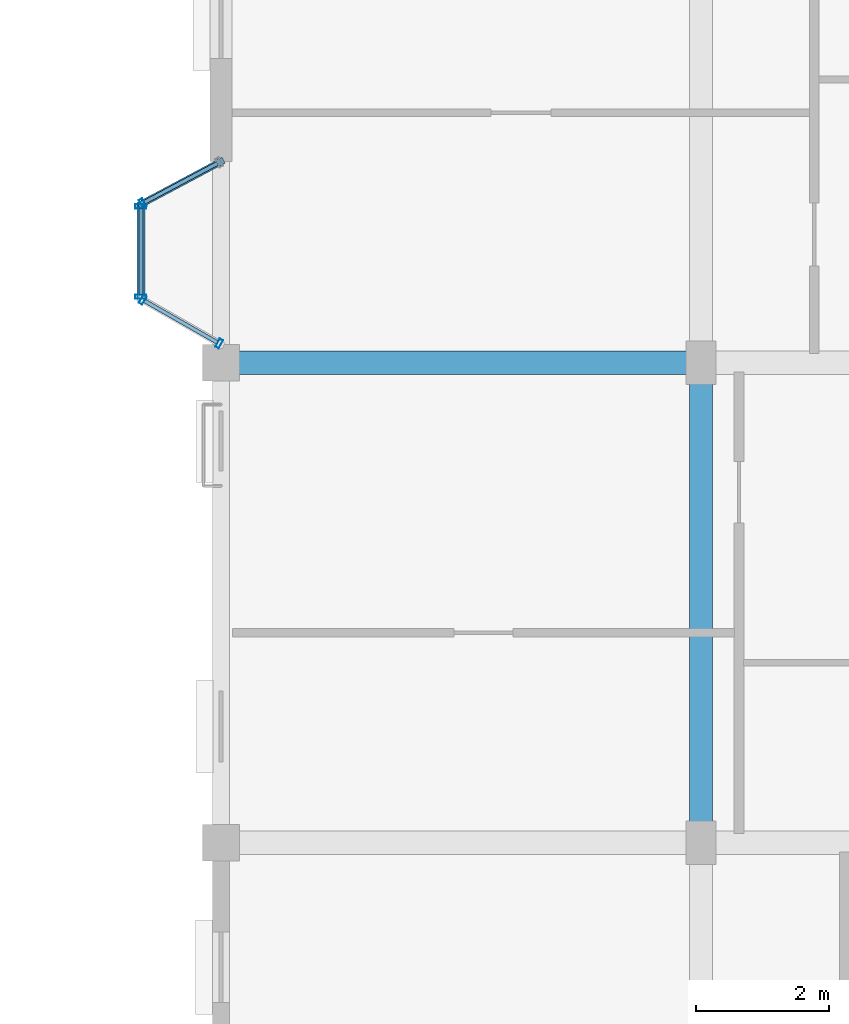
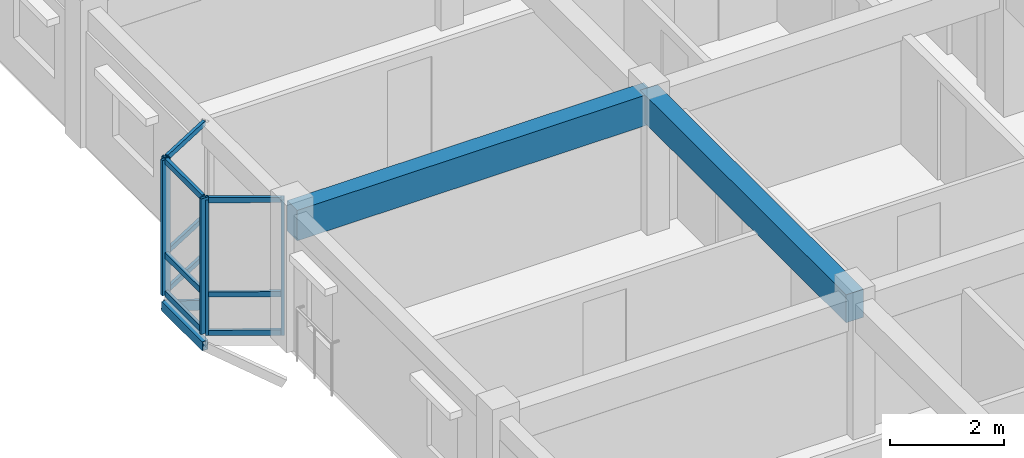
# One storey, part 27 of 79: 16 members, 2 beams, 3 elements without a shape of their own.
"""IFC4 building model written with IfcOpenShell, lengths in metres."""

from ifc_helpers import new_model, si_unit, direction, frame, origin, origin_2d, place, context, subcontext, project, spatial, rectangle, hollow_rectangle, extrude, material, layer, layer_set, material_profile, profile_set, type_object, element, aggregate, save


model = new_model("IFC4")

# Units and contexts
model_context = context("Model", 3, precision=1e-05, world=origin(), true_north=direction((0.0, 1.0)))
body_context = subcontext(model_context, "Body", "Model", "MODEL_VIEW")
ifc_project = project(units=[si_unit("LENGTHUNIT", "METRE"), si_unit("AREAUNIT", "SQUARE_METRE"), si_unit("VOLUMEUNIT", "CUBIC_METRE"), si_unit("PLANEANGLEUNIT", "RADIAN"), si_unit("MASSUNIT", "GRAM", prefix="KILO"), si_unit("THERMODYNAMICTEMPERATUREUNIT", "KELVIN"), si_unit("POWERUNIT", "WATT")], contexts=[model_context])

# Site, building, storey
site_placement = place(None, origin())
site = spatial("IfcSite", under=ifc_project, at=site_placement, CompositionType="ELEMENT")
building_placement = place(site_placement, origin())
building = spatial("IfcBuilding", under=site, at=building_placement, Name="Tavuni Mirador Residences", CompositionType="ELEMENT")
storey_placement = place(building_placement, frame((0.0, 0.0, 13.949951171875)))
storey = spatial("IfcBuildingStorey", under=building, at=storey_placement, Name="L04", CompositionType="ELEMENT", Elevation=13.949951171875)

# Beams
ifc_material_1 = material(Name="Precast concrete C40/50", Category="concrete")
ifc_material_profile_1 = material_profile(ifc_material_1, rectangle(XDim=0.35009765625, YDim=0.60009765625, at=origin_2d()), Name="PC 350x600", Category="concrete")
ifc_profile_set_1 = profile_set([ifc_material_profile_1], Name="Precast concrete C40/50")
beam_type_1 = type_object("IfcBeamType", Name="BT-B600", PredefinedType="BEAM", material=ifc_profile_set_1)
beam_1_placement = place(storey_placement, frame((97.199951171875, 100.800048828125, 2.590087890625), z_axis=(0.0, 1.0, 0.0), x_axis=(-1.0, 0.0, 0.0)))
element("IfcBeam", 1, at=beam_1_placement, inside=storey, type_object=beam_type_1, Name="BMY-BLK-D-L04-01-02", PredefinedType="BEAM", context=body_context, shape_type="SweptSolid", body=[
    extrude(rectangle(XDim=0.35009765625, YDim=0.60009765625, at=origin_2d()), origin(), (0.0, 0.0, 1.0), 7.199951171875),
])
ifc_material_profile_2 = material_profile(ifc_material_1, rectangle(XDim=0.35009765625, YDim=0.64990234375, at=origin_2d()), Name="PC 350x650", Category="concrete")
ifc_profile_set_2 = profile_set([ifc_material_profile_2], Name="Precast concrete C40/50")
beam_type_2 = type_object("IfcBeamType", Name="BT-B650", PredefinedType="BEAM", material=ifc_profile_set_2)
beam_2_placement = place(storey_placement, frame((90.0, 108.0, 2.56494140625), z_axis=(1.0, 0.0, 0.0), x_axis=(0.0, 1.0, 0.0)))
element("IfcBeam", 2, at=beam_2_placement, inside=storey, type_object=beam_type_2, Name="BMX-BLK-D-L04-00-03", PredefinedType="BEAM", context=body_context, shape_type="SweptSolid", body=[
    extrude(rectangle(XDim=0.35009765625, YDim=0.64990234375, at=origin_2d()), origin(), (0.0, 0.0, 1.0), 7.199951171875),
])

# Curtain wall, member
ifc_material_2 = material(Name="Anodised aluminium", Category="aluminium")
ifc_layer_1 = layer(ifc_material_2, 0.1650390625, Name="Anodised aluminium", Category="aluminium")
ifc_layer_set_1 = layer_set([ifc_layer_1], Name="Anodised aluminium")
curtain_wall_type_1 = type_object("IfcCurtainWallType", Name="CWT-MIR-A", PredefinedType="NOTDEFINED", material=ifc_layer_set_1)
curtain_wall_1_placement = place(storey_placement, origin())
curtain_wall_1 = element("IfcCurtainWall", 3, at=curtain_wall_1_placement, inside=storey, type_object=curtain_wall_type_1, Name="CW-MIR-D-W2-L04-M1", PredefinedType="NOTDEFINED")
ifc_material_profile_3 = material_profile(ifc_material_2, hollow_rectangle(XDim=0.06005859375, YDim=0.139892578125, WallThickness=0.00390625, at=origin_2d()), Name="ALU 60x140x4.0", Category="aluminium")
ifc_profile_set_3 = profile_set([ifc_material_profile_3], Name="Anodised aluminium")
member_type_1 = type_object("IfcMemberType", Name="CWM-140", PredefinedType="MULLION", material=ifc_profile_set_3)
member_1_placement = place(storey_placement, frame((88.826416015625, 110.39404296875, 0.0), z_axis=(0.0, 0.0, 1.0), x_axis=(-0.882352941175, -0.470588235296, 0.0)))
member_1 = element("IfcMember", 4, at=member_1_placement, type_object=member_type_1, Name="CW-01 mullion 2", PredefinedType="MULLION", context=body_context, shape_type="SweptSolid", body=[
    extrude(hollow_rectangle(XDim=0.06005859375, YDim=0.139892578125, WallThickness=0.00390625, at=origin_2d()), origin(), (0.0, 0.0, 1.0), 2.89013671875),
])

# Curtain wall, members
ifc_layer_2 = layer(ifc_material_2, 0.175048828125, Name="Anodised aluminium", Category="aluminium")
ifc_layer_set_2 = layer_set([ifc_layer_2], Name="Anodised aluminium")
curtain_wall_type_2 = type_object("IfcCurtainWallType", Name="CWT-MIR-C", PredefinedType="NOTDEFINED", material=ifc_layer_set_2)
curtain_wall_2_placement = place(storey_placement, origin())
curtain_wall_2 = element("IfcCurtainWall", 5, at=curtain_wall_2_placement, inside=storey, type_object=curtain_wall_type_2, Name="CW-MIR-D-W2-L04-M2", PredefinedType="NOTDEFINED")
member_2_placement = place(storey_placement, frame((88.826171875, 108.945068359375, 0.0), z_axis=(0.0, 0.0, 1.0), x_axis=(0.868465738194, -0.495749192217, 0.0)))
member_2 = element("IfcMember", 6, at=member_2_placement, type_object=member_type_1, Name="CW-03 mullion 1", PredefinedType="MULLION", context=body_context, shape_type="SweptSolid", body=[
    extrude(hollow_rectangle(XDim=0.06005859375, YDim=0.139892578125, WallThickness=0.00390625, at=origin_2d()), origin(), (0.0, 0.0, 1.0), 2.89013671875),
])
member_3_placement = place(storey_placement, frame((89.973876953125, 108.289794921875, 0.0), z_axis=(0.0, 0.0, 1.0), x_axis=(0.868465738194, -0.495749192217, 0.0)))
member_3 = element("IfcMember", 7, at=member_3_placement, type_object=member_type_1, Name="CW-03 mullion 2", PredefinedType="MULLION", context=body_context, shape_type="SweptSolid", body=[
    extrude(hollow_rectangle(XDim=0.06005859375, YDim=0.139892578125, WallThickness=0.00390625, at=origin_2d()), origin(), (0.0, 0.0, 1.0), 2.89013671875),
])

ifc_layer_3 = layer(ifc_material_2, 0.14990234375, Name="Anodised aluminium", Category="aluminium")
ifc_layer_set_3 = layer_set([ifc_layer_3], Name="Anodised aluminium")
curtain_wall_type_3 = type_object("IfcCurtainWallType", Name="CWT-MIR-B", PredefinedType="NOTDEFINED", material=ifc_layer_set_3)
curtain_wall_3_placement = place(storey_placement, origin())
curtain_wall_3 = element("IfcCurtainWall", 8, at=curtain_wall_3_placement, inside=storey, type_object=curtain_wall_type_3, Name="CW-MIR-D-W2-L04-MF", PredefinedType="NOTDEFINED")
ifc_material_profile_4 = material_profile(ifc_material_2, hollow_rectangle(XDim=0.06494140625, YDim=0.1650390625, WallThickness=0.00439453125, at=origin_2d()), Name="ALU 65x165x4.5", Category="aluminium")
ifc_profile_set_4 = profile_set([ifc_material_profile_4], Name="Anodised aluminium")
member_type_2 = type_object("IfcMemberType", Name="CWM-165", PredefinedType="MULLION", material=ifc_profile_set_4)
member_4_placement = place(storey_placement, frame((88.800048828125, 110.347412109375, 0.0), z_axis=(0.0, 0.0, 1.0), x_axis=(0.0, -1.0, 0.0)))
member_4 = element("IfcMember", 9, at=member_4_placement, type_object=member_type_2, Name="CW-02 mullion 1", PredefinedType="MULLION", context=body_context, shape_type="SweptSolid", body=[
    extrude(hollow_rectangle(XDim=0.06494140625, YDim=0.1650390625, WallThickness=0.00439453125, at=origin_2d()), origin(), (0.0, 0.0, 1.0), 2.89013671875),
])
member_5_placement = place(storey_placement, frame((88.800048828125, 108.992431640625, 0.0), z_axis=(0.0, 0.0, 1.0), x_axis=(0.0, -1.0, 0.0)))
member_5 = element("IfcMember", 10, at=member_5_placement, type_object=member_type_2, Name="CW-02 mullion 2", PredefinedType="MULLION", context=body_context, shape_type="SweptSolid", body=[
    extrude(hollow_rectangle(XDim=0.06494140625, YDim=0.1650390625, WallThickness=0.00439453125, at=origin_2d()), origin(), (0.0, 0.0, 1.0), 2.89013671875),
])

# Member
ifc_material_profile_5 = material_profile(ifc_material_2, hollow_rectangle(XDim=0.06005859375, YDim=0.110107421875, WallThickness=0.00390625, at=origin_2d()), Name="ALU 60x110x4.0", Category="aluminium")
ifc_profile_set_5 = profile_set([ifc_material_profile_5], Name="Anodised aluminium")
member_type_3 = type_object("IfcMemberType", Name="CWT-110", PredefinedType="USERDEFINED", material=ifc_profile_set_5)
member_6_placement = place(storey_placement, frame((89.947021484375, 110.99169921875, 0.030029296875), z_axis=(-0.882342039492, -0.470608675382, 0.0), x_axis=(0.470608675382, -0.882342039492, 0.0)))
member_6 = element("IfcMember", 11, at=member_6_placement, type_object=member_type_3, Name="CW-01 transom 1.1", ObjectType="TRANSOM", PredefinedType="USERDEFINED", context=body_context, shape_type="SweptSolid", body=[
    extrude(hollow_rectangle(XDim=0.06005859375, YDim=0.110107421875, WallThickness=0.00390625, at=origin_2d()), origin(), (0.0, 0.0, 1.0), 1.239990234375),
])

member_7_placement = place(storey_placement, frame((89.947021484375, 110.99169921875, 0.85009765625), z_axis=(-0.882342039492, -0.470608675382, 0.0), x_axis=(0.470608675382, -0.882342039492, 0.0)))
member_7 = element("IfcMember", 12, at=member_7_placement, type_object=member_type_3, Name="CW-01 transom 1.2", ObjectType="TRANSOM", PredefinedType="USERDEFINED", context=body_context, shape_type="SweptSolid", body=[
    extrude(hollow_rectangle(XDim=0.06005859375, YDim=0.110107421875, WallThickness=0.00390625, at=origin_2d()), origin(), (0.0, 0.0, 1.0), 1.239990234375),
])

member_8_placement = place(storey_placement, frame((89.947021484375, 110.99169921875, 2.860107421875), z_axis=(-0.882342039492, -0.470608675382, 0.0), x_axis=(0.470608675382, -0.882342039492, 0.0)))
member_8 = element("IfcMember", 13, at=member_8_placement, type_object=member_type_3, Name="CW-01 transom 1.3", ObjectType="TRANSOM", PredefinedType="USERDEFINED", context=body_context, shape_type="SweptSolid", body=[
    extrude(hollow_rectangle(XDim=0.06005859375, YDim=0.110107421875, WallThickness=0.00390625, at=origin_2d()), origin(), (0.0, 0.0, 1.0), 1.239990234375),
])

aggregate(curtain_wall_1, [member_1, member_6, member_7, member_8])

member_9_placement = place(storey_placement, frame((88.85205078125, 108.93017578125, 0.030029296875), z_axis=(0.868504955205, -0.49568048457, 0.0), x_axis=(0.49568048457, 0.868504955205, 0.0)))
member_9 = element("IfcMember", 14, at=member_9_placement, type_object=member_type_3, Name="CW-03 transom 1.1", ObjectType="TRANSOM", PredefinedType="USERDEFINED", context=body_context, shape_type="SweptSolid", body=[
    extrude(hollow_rectangle(XDim=0.06005859375, YDim=0.110107421875, WallThickness=0.00390625, at=origin_2d()), origin(), (0.0, 0.0, 1.0), 1.261962890625),
])

member_10_placement = place(storey_placement, frame((88.85205078125, 108.93017578125, 0.85009765625), z_axis=(0.868504955205, -0.49568048457, 0.0), x_axis=(0.49568048457, 0.868504955205, 0.0)))
member_10 = element("IfcMember", 15, at=member_10_placement, type_object=member_type_3, Name="CW-03 transom 1.2", ObjectType="TRANSOM", PredefinedType="USERDEFINED", context=body_context, shape_type="SweptSolid", body=[
    extrude(hollow_rectangle(XDim=0.06005859375, YDim=0.110107421875, WallThickness=0.00390625, at=origin_2d()), origin(), (0.0, 0.0, 1.0), 1.261962890625),
])

member_11_placement = place(storey_placement, frame((88.85205078125, 108.93017578125, 2.860107421875), z_axis=(0.868504955205, -0.49568048457, 0.0), x_axis=(0.49568048457, 0.868504955205, 0.0)))
member_11 = element("IfcMember", 16, at=member_11_placement, type_object=member_type_3, Name="CW-03 transom 1.3", ObjectType="TRANSOM", PredefinedType="USERDEFINED", context=body_context, shape_type="SweptSolid", body=[
    extrude(hollow_rectangle(XDim=0.06005859375, YDim=0.110107421875, WallThickness=0.00390625, at=origin_2d()), origin(), (0.0, 0.0, 1.0), 1.261962890625),
])

aggregate(curtain_wall_2, [member_2, member_3, member_9, member_10, member_11])

ifc_material_profile_6 = material_profile(ifc_material_2, hollow_rectangle(XDim=0.06494140625, YDim=0.125, WallThickness=0.00439453125, at=origin_2d()), Name="ALU 65x125x4.5", Category="aluminium")
ifc_profile_set_6 = profile_set([ifc_material_profile_6], Name="Anodised aluminium")
member_type_4 = type_object("IfcMemberType", Name="CWT-125", PredefinedType="USERDEFINED", material=ifc_profile_set_6)
member_12_placement = place(storey_placement, frame((88.800048828125, 110.31494140625, 0.032470703125), z_axis=(0.0, -1.0, 0.0), x_axis=(1.0, 0.0, 0.0)))
member_12 = element("IfcMember", 17, at=member_12_placement, type_object=member_type_4, Name="CW-02 transom 1.1", ObjectType="TRANSOM", PredefinedType="USERDEFINED", context=body_context, shape_type="SweptSolid", body=[
    extrude(hollow_rectangle(XDim=0.06494140625, YDim=0.125, WallThickness=0.00439453125, at=origin_2d()), origin(), (0.0, 0.0, 1.0), 1.2900390625),
])

member_13_placement = place(storey_placement, frame((88.800048828125, 110.31494140625, 0.85009765625), z_axis=(0.0, -1.0, 0.0), x_axis=(1.0, 0.0, 0.0)))
member_13 = element("IfcMember", 18, at=member_13_placement, type_object=member_type_4, Name="CW-02 transom 1.2", ObjectType="TRANSOM", PredefinedType="USERDEFINED", context=body_context, shape_type="SweptSolid", body=[
    extrude(hollow_rectangle(XDim=0.06494140625, YDim=0.125, WallThickness=0.00439453125, at=origin_2d()), origin(), (0.0, 0.0, 1.0), 1.2900390625),
])

member_14_placement = place(storey_placement, frame((88.800048828125, 110.31494140625, 2.857666015625), z_axis=(0.0, -1.0, 0.0), x_axis=(1.0, 0.0, 0.0)))
member_14 = element("IfcMember", 19, at=member_14_placement, type_object=member_type_4, Name="CW-02 transom 1.3", ObjectType="TRANSOM", PredefinedType="USERDEFINED", context=body_context, shape_type="SweptSolid", body=[
    extrude(hollow_rectangle(XDim=0.06494140625, YDim=0.125, WallThickness=0.00439453125, at=origin_2d()), origin(), (0.0, 0.0, 1.0), 1.2900390625),
])

aggregate(curtain_wall_3, [member_4, member_5, member_12, member_13, member_14])

# Members
ifc_material_3 = material(Name="Structural steel S355", Category="steel")
ifc_material_profile_7 = material_profile(ifc_material_3, hollow_rectangle(XDim=0.10009765625, YDim=0.179931640625, WallThickness=0.008056640625, at=origin_2d()), Name="RHS 180x100x8.0", Category="steel")
ifc_profile_set_7 = profile_set([ifc_material_profile_7], Name="Structural steel S355")
member_type_5 = type_object("IfcMemberType", Name="MT-BR-RHS180", PredefinedType="BRACE", material=ifc_profile_set_7)
member_15_placement = place(storey_placement, frame((90.0, 111.02001953125, -1.050048828125), z_axis=(-0.762920992699, -0.406994678099, 0.502301593565), x_axis=(0.470681405175, -0.882303244255, 0.0)))
element("IfcMember", 20, at=member_15_placement, inside=storey, type_object=member_type_5, Name="MBRK-MIR-D-W2-L04-2", PredefinedType="BRACE", context=body_context, shape_type="SweptSolid", body=[
    extrude(hollow_rectangle(XDim=0.10009765625, YDim=0.179931640625, WallThickness=0.008056640625, at=origin_2d()), origin(), (0.0, 0.0, 1.0), 1.57275390625),
])
ifc_material_profile_8 = material_profile(ifc_material_3, hollow_rectangle(XDim=0.1201171875, YDim=0.199951171875, WallThickness=0.010009765625, at=origin_2d()), Name="RHS 200x120x10.0", Category="steel")
ifc_profile_set_8 = profile_set([ifc_material_profile_8], Name="Structural steel S355")
member_type_6 = type_object("IfcMemberType", Name="MT-ST-RHS200", PredefinedType="STRUT", material=ifc_profile_set_8)
member_16_placement = place(storey_placement, frame((88.800048828125, 108.9599609375, -0.260009765625), z_axis=(0.0, 1.0, 0.0), x_axis=(-1.0, 0.0, 0.0)))
element("IfcMember", 21, at=member_16_placement, inside=storey, type_object=member_type_6, Name="MRIM-MIR-D-W2-L04", PredefinedType="STRUT", context=body_context, shape_type="SweptSolid", body=[
    extrude(hollow_rectangle(XDim=0.1201171875, YDim=0.199951171875, WallThickness=0.010009765625, at=origin_2d()), origin(), (0.0, 0.0, 1.0), 1.419921875),
])

save(model, "model.ifc")
